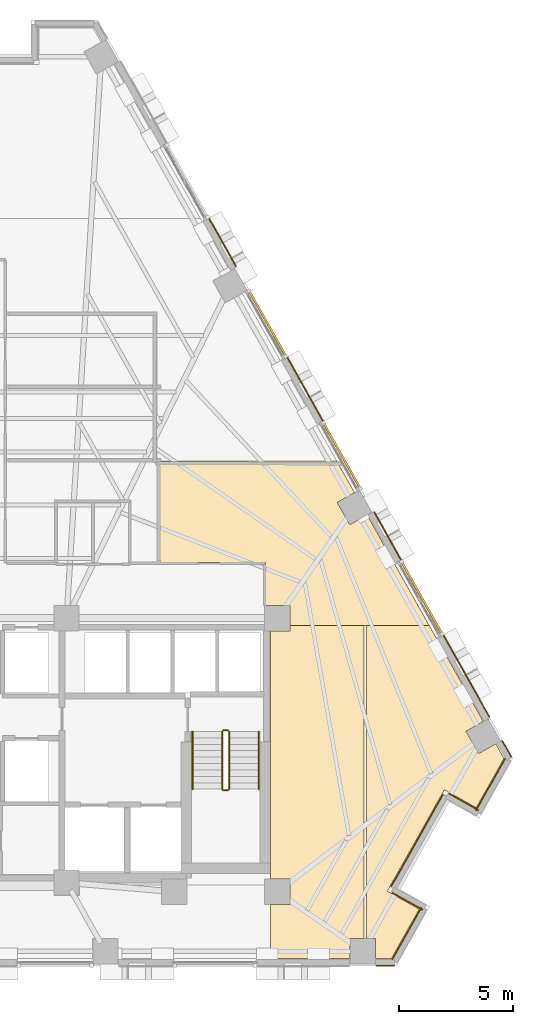
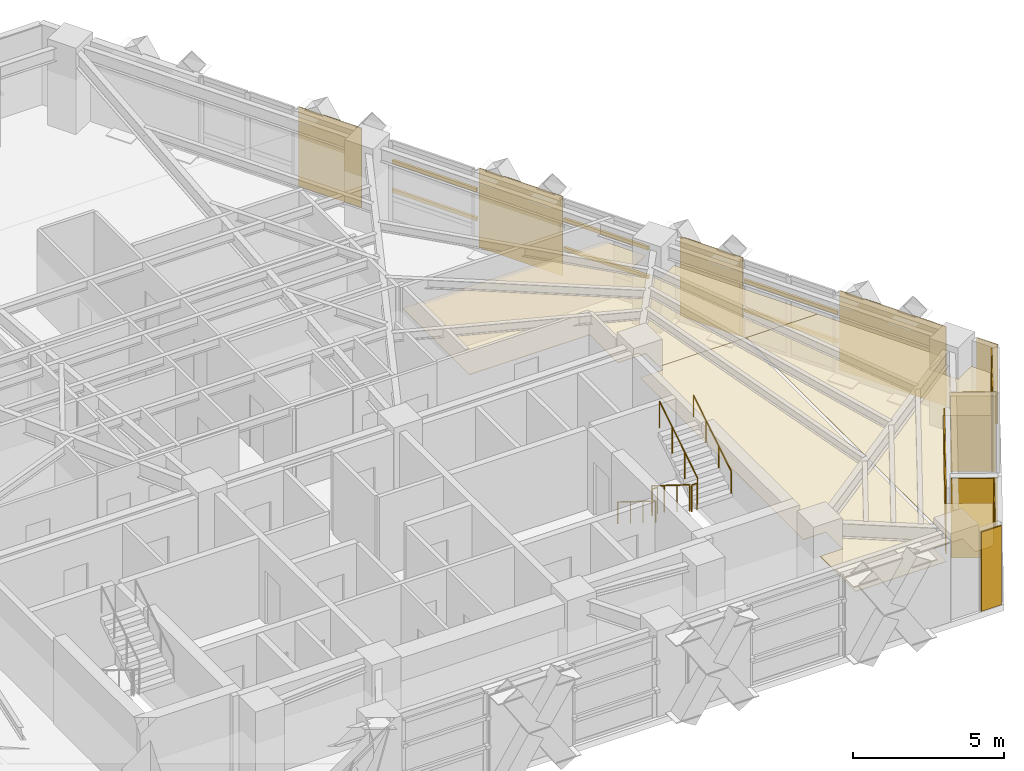
# One storey, part 13 of 14: 14 coverings, 6 railings, 6 shading devices.
"""IFC4 building model written with IfcOpenShell, lengths in metres."""

from ifc_helpers import new_model, si_unit, direction, frame, origin, origin_2d, place, context, subcontext, project, spatial, polyline, rectangle, circle, outline, extrude, material, layer, layer_set, material_profile, profile_set, type_object, element, save


model = new_model("IFC4")

# Units and contexts
model_context = context("Model", 3, precision=1e-05, world=origin(), true_north=direction((0.0, 1.0)))
body_context = subcontext(model_context, "Body", "Model", "MODEL_VIEW")
ifc_project = project(units=[si_unit("LENGTHUNIT", "METRE"), si_unit("AREAUNIT", "SQUARE_METRE"), si_unit("VOLUMEUNIT", "CUBIC_METRE"), si_unit("PLANEANGLEUNIT", "RADIAN"), si_unit("MASSUNIT", "GRAM", prefix="KILO")], contexts=[model_context])

# Site, building, storey
site_placement = place(None, origin())
site = spatial("IfcSite", under=ifc_project, at=site_placement, CompositionType="ELEMENT")
building_placement = place(site_placement, origin())
building = spatial("IfcBuilding", under=site, at=building_placement, Name="Quenlor Broadcast Tower", CompositionType="ELEMENT")
storey_placement = place(building_placement, frame((0.0, 0.0, 112.5)))
storey = spatial("IfcBuildingStorey", under=building, at=storey_placement, Name="L30", CompositionType="ELEMENT", Elevation=112.5)

# Coverings
ifc_material_1 = material(Name="Acoustic Mineral Fibre Board", Category="other")
ifc_layer_1 = layer(ifc_material_1, 0.02490234375)
ifc_layer_set_1 = layer_set([ifc_layer_1], Name="Acoustic Perforated Mineral Tile Ceiling 25")
covering_type_1 = type_object("IfcCoveringType", Name="Acoustic Perforated Mineral Tile Ceiling 25", PredefinedType="CEILING", material=ifc_layer_set_1)
covering_1_placement = place(storey_placement, frame((0.0, 0.0, 2.22509765625)))
element("IfcCovering", 1, at=covering_1_placement, inside=storey, type_object=covering_type_1, Name="L30 Acoustic Ceiling L30-38-2", PredefinedType="CEILING", context=body_context, shape_type="SweptSolid", body=[
    extrude(outline(polyline([(13.508056640625, -4.241943359375), (12.43994140625, -4.241943359375), (12.43994140625, -2.3701171875), (7.820068359375, -2.3701171875), (7.820068359375, 2.06005859375), (15.55126953125, 2.06005859375), (16.32666015625, 0.68115234375), (15.5703125, 0.255615234375), (16.1171875, -0.717041015625), (16.873779296875, -0.29150390625), (19.58984375, -5.1201171875), (16.860107421875, -5.1201171875), (16.739990234375, -5.1201171875), (13.508056640625, -5.1201171875), (13.508056640625, -4.241943359375)])), origin(), (0.0, 0.0, 1.0), 0.02490234375),
])
covering_2_placement = place(storey_placement, frame((0.0, 0.0, 2.22509765625)))
element("IfcCovering", 2, at=covering_2_placement, inside=storey, type_object=covering_type_1, Name="L30 Acoustic Ceiling L30-38-6", PredefinedType="CEILING", context=body_context, shape_type="SweptSolid", body=[
    extrude(outline(polyline([(13.508056640625, -17.30810546875), (13.508056640625, -16.19189453125), (12.64990234375, -16.19189453125), (12.64990234375, -5.35791015625), (13.508056640625, -5.35791015625), (13.508056640625, -5.1201171875), (16.739990234375, -5.1201171875), (16.739990234375, -18.7919921875), (16.134521484375, -18.7919921875), (16.134521484375, -19.659912109375), (12.64990234375, -19.659912109375), (12.64990234375, -17.30810546875), (13.508056640625, -17.30810546875)])), origin(), (0.0, 0.0, 1.0), 0.02490234375),
])
covering_3_placement = place(storey_placement, frame((0.0, 0.0, 2.22509765625)))
element("IfcCovering", 3, at=covering_3_placement, inside=storey, type_object=covering_type_1, Name="L30 Acoustic Ceiling L30-38-7", PredefinedType="CEILING", context=body_context, shape_type="SweptSolid", body=[
    extrude(outline(polyline([(21.951416015625, -9.318115234375), (21.19482421875, -9.74365234375), (21.741943359375, -10.71630859375), (22.49853515625, -10.290771484375), (22.85693359375, -10.927978515625), (21.64453125, -13.08349609375), (20.25, -12.299072265625), (17.759521484375, -16.7265625), (19.15380859375, -17.510986328125), (17.9453125, -19.659912109375), (17.25048828125, -19.659912109375), (17.25048828125, -18.7919921875), (16.860107421875, -18.7919921875), (16.860107421875, -5.1201171875), (19.58984375, -5.1201171875), (21.951416015625, -9.318115234375)])), origin(), (0.0, 0.0, 1.0), 0.02490234375),
])

# Shading devices
ifc_material_2 = material(Name="Architectural Terracotta Ceramic", Category="masonry")
ifc_material_profile = material_profile(ifc_material_2, rectangle(XDim=0.090087890625, YDim=0.139892578125, at=origin_2d()))
ifc_profile_set = profile_set([ifc_material_profile], Name="Architectural Terracotta Ceramic BAG90x140")
shading_device_type = type_object("IfcShadingDeviceType", Name="Copper Terracotta Baguette Solar Screen 140", PredefinedType="USERDEFINED", material=ifc_profile_set)
for number, where, z_axis, x_axis, name in (
    (4, (18.385986328125, -2.341796875, 1.169921875), (0.490344725936, -0.871528570815, 0.0), (0.871528570815, 0.490344725936, 0.0), "L30 Terracotta Baguette Screen 1"),
    (5, (18.385986328125, -2.341796875, 2.340087890625), (0.490344725936, -0.871528570815, 0.0), (0.871528570815, 0.490344725936, 0.0), "L30 Terracotta Baguette Screen 2"),
):
    element("IfcShadingDevice", number, at=place(storey_placement, frame(where, z_axis=z_axis, x_axis=x_axis)), inside=storey, type_object=shading_device_type, Name=name, ObjectType="BAGUETTE", PredefinedType="USERDEFINED", context=body_context, shape_type="SweptSolid", body=[
        extrude(rectangle(XDim=0.090087890625, YDim=0.139892578125, at=origin_2d()), origin(), (0.0, 0.0, 1.0), 3.60986328125),
    ])
for number, where, z_axis, x_axis, name in (
    (6, (11.7275390625, 9.49560546875, 1.169921875), (0.490254145389, -0.871579527599, 0.0), (0.871579527599, 0.490254145389, 0.0), "L30 Terracotta Baguette Screen 1"),
    (7, (11.7275390625, 9.49560546875, 2.340087890625), (0.490254145389, -0.871579527599, 0.0), (0.871579527599, 0.490254145389, 0.0), "L30 Terracotta Baguette Screen 2"),
    (8, (14.97314453125, 3.72607421875, 1.169921875), (0.490254145389, -0.871579527599, 0.0), (0.871579527599, 0.490254145389, 0.0), "L30 Terracotta Baguette Screen 1"),
    (9, (14.97314453125, 3.72607421875, 2.340087890625), (0.490254145389, -0.871579527599, 0.0), (0.871579527599, 0.490254145389, 0.0), "L30 Terracotta Baguette Screen 2"),
):
    element("IfcShadingDevice", number, at=place(storey_placement, frame(where, z_axis=z_axis, x_axis=x_axis)), inside=storey, type_object=shading_device_type, Name=name, ObjectType="BAGUETTE", PredefinedType="USERDEFINED", context=body_context, shape_type="SweptSolid", body=[
        extrude(rectangle(XDim=0.090087890625, YDim=0.139892578125, at=origin_2d()), origin(), (0.0, 0.0, 1.0), 3.267822265625),
    ])

# Coverings
ifc_material_3 = material(Name="Architectural Terracotta Ceramic", Category="masonry")
ifc_layer_2 = layer(ifc_material_3, 0.044921875)
ifc_layer_set_2 = layer_set([ifc_layer_2], Name="Fluted Terracotta Rainscreen Cladding Panel")
covering_type_2 = type_object("IfcCoveringType", Name="Fluted Terracotta Rainscreen Cladding Panel", PredefinedType="CLADDING", material=ifc_layer_set_2)
covering_4_placement = place(storey_placement, frame((0.0, 0.0, 0.02001953125)))
element("IfcCovering", 10, at=covering_4_placement, inside=storey, type_object=covering_type_2, Name="L30 Terracotta Rainscreen Cladding L30-SHD-SS0", PredefinedType="CLADDING", context=body_context, shape_type="SweptSolid", body=[
    extrude(outline(polyline([(18.053955078125, -19.951904296875), (17.277587890625, -19.951904296875), (17.277587890625, -19.9970703125), (18.053955078125, -19.9970703125), (18.053955078125, -19.951904296875)])), origin(), (0.0, 0.0, 1.0), 3.2099609375),
])
covering_5_placement = place(storey_placement, frame((0.0, 0.0, 0.02001953125)))
element("IfcCovering", 11, at=covering_5_placement, inside=storey, type_object=covering_type_2, Name="L30 Terracotta Rainscreen Cladding L30-SHD-NES1", PredefinedType="CLADDING", context=body_context, shape_type="SweptSolid", body=[
    extrude(outline(polyline([(22.76611328125, -10.171142578125), (23.160888671875, -10.873046875), (23.2001953125, -10.85107421875), (22.805419921875, -10.149169921875), (22.76611328125, -10.171142578125)])), origin(), (0.0, 0.0, 1.0), 3.2099609375),
])
covering_6_placement = place(storey_placement, frame((0.0, 0.0, 0.02001953125)))
element("IfcCovering", 12, at=covering_6_placement, inside=storey, type_object=covering_type_2, Name="L30 Terracotta Rainscreen Cladding L30-NEA-SP2", PredefinedType="CLADDING", context=body_context, shape_type="SweptSolid", body=[
    extrude(outline(polyline([(9.948974609375, 12.656005859375), (11.13232421875, 10.552001953125), (11.171630859375, 10.57421875), (9.98828125, 12.677978515625), (9.948974609375, 12.656005859375)])), origin(), (0.0, 0.0, 1.0), 3.2099609375),
])
covering_7_placement = place(storey_placement, frame((0.0, 0.0, 0.02001953125)))
element("IfcCovering", 13, at=covering_7_placement, inside=storey, type_object=covering_type_2, Name="L30 Terracotta Rainscreen Cladding L30-NEC-SP1", PredefinedType="CLADDING", context=body_context, shape_type="SweptSolid", body=[
    extrude(outline(polyline([(17.168701171875, -0.179443359375), (18.35205078125, -2.283203125), (18.391357421875, -2.26123046875), (17.2080078125, -0.157470703125), (17.168701171875, -0.179443359375)])), origin(), (0.0, 0.0, 1.0), 3.2099609375),
])
covering_8_placement = place(storey_placement, frame((0.0, 0.0, 0.02001953125)))
element("IfcCovering", 14, at=covering_8_placement, inside=storey, type_object=covering_type_2, Name="L30 Terracotta Rainscreen Cladding L30-NEC-SP2", PredefinedType="CLADDING", context=body_context, shape_type="SweptSolid", body=[
    extrude(outline(polyline([(20.188232421875, -5.547119140625), (22.2001953125, -9.1240234375), (22.239501953125, -9.10205078125), (20.227294921875, -5.525146484375), (20.188232421875, -5.547119140625)])), origin(), (0.0, 0.0, 1.0), 3.2099609375),
])
covering_9_placement = place(storey_placement, frame((0.0, 0.0, 0.02001953125)))
element("IfcCovering", 15, at=covering_9_placement, inside=storey, type_object=covering_type_2, Name="L30 Terracotta Rainscreen Cladding L30-NE-SP1", PredefinedType="CLADDING", context=body_context, shape_type="SweptSolid", body=[
    extrude(outline(polyline([(13.362060546875, 6.588134765625), (14.939208984375, 3.784423828125), (14.978515625, 3.806396484375), (13.401123046875, 6.610107421875), (13.362060546875, 6.588134765625)])), origin(), (0.0, 0.0, 1.0), 3.2099609375),
])
covering_10_placement = place(storey_placement, frame((0.0, 0.0, 0.02001953125)))
element("IfcCovering", 16, at=covering_10_placement, inside=storey, type_object=covering_type_2, Name="L30 Terracotta Rainscreen Cladding L30-CNR-01", PredefinedType="CLADDING", context=body_context, shape_type="SweptSolid", body=[
    extrude(outline(polyline([(19.31787109375, -17.525390625), (17.9755859375, -16.770263671875), (17.95361328125, -16.8095703125), (19.2958984375, -17.564697265625), (19.31787109375, -17.525390625)])), origin(), (0.0, 0.0, 1.0), 3.2099609375),
])
covering_11_placement = place(storey_placement, frame((0.0, 0.0, 0.02001953125)))
element("IfcCovering", 17, at=covering_11_placement, inside=storey, type_object=covering_type_2, Name="L30 Terracotta Rainscreen Cladding L30-CNR-02", PredefinedType="CLADDING", context=body_context, shape_type="SweptSolid", body=[
    extrude(outline(polyline([(17.941162109375, -16.5419921875), (20.206298828125, -12.515380859375), (20.1669921875, -12.493408203125), (17.902099609375, -16.52001953125), (17.941162109375, -16.5419921875)])), origin(), (0.0, 0.0, 1.0), 2.681884765625),
])
covering_12_placement = place(storey_placement, frame((0.0, 0.0, 0.02001953125)))
element("IfcCovering", 18, at=covering_12_placement, inside=storey, type_object=covering_type_2, Name="L30 Terracotta Rainscreen Cladding L30-CNR-03", PredefinedType="CLADDING", context=body_context, shape_type="SweptSolid", body=[
    extrude(outline(polyline([(20.4345703125, -12.48095703125), (21.741943359375, -13.21630859375), (21.763916015625, -13.177001953125), (20.45654296875, -12.441650390625), (20.4345703125, -12.48095703125)])), origin(), (0.0, 0.0, 1.0), 3.2099609375),
])
covering_13_placement = place(storey_placement, frame((0.0, 0.0, 0.02001953125)))
element("IfcCovering", 19, at=covering_13_placement, inside=storey, type_object=covering_type_2, Name="L30 Terracotta Rainscreen Cladding L30-CNR-04", PredefinedType="CLADDING", context=body_context, shape_type="SweptSolid", body=[
    extrude(outline(polyline([(21.64990234375, -13.212646484375), (22.926513671875, -10.94287109375), (22.887451171875, -10.9208984375), (21.610595703125, -13.190673828125), (21.64990234375, -13.212646484375)])), origin(), (0.0, 0.0, 1.0), 3.2099609375),
])
covering_14_placement = place(storey_placement, frame((0.0, 0.0, 0.02001953125)))
element("IfcCovering", 20, at=covering_14_placement, inside=storey, type_object=covering_type_2, Name="L30 Terracotta Rainscreen Cladding L30-CNR-18", PredefinedType="CLADDING", context=body_context, shape_type="SweptSolid", body=[
    extrude(outline(polyline([(17.991943359375, -19.71533203125), (19.26708984375, -17.448486328125), (19.227783203125, -17.426513671875), (17.952880859375, -19.693359375), (17.991943359375, -19.71533203125)])), origin(), (0.0, 0.0, 1.0), 3.2099609375),
])

# Railings
ifc_material_4 = material(Name="Anodised Aluminium", Category="aluminium")
railing_type_1 = type_object("IfcRailingType", Name="Stainless Aluminium Wall Handrail 900", PredefinedType="HANDRAIL", material=ifc_material_4)
railing_1_placement = place(storey_placement, frame((9.25, -9.75, 0.175048828125)))
element("IfcRailing", 21, at=railing_1_placement, inside=storey, type_object=railing_type_1, Name="L30 ST-2 stair handrail 1", PredefinedType="HANDRAIL", context=body_context, shape_type="SweptSolid", body=[
    extrude(circle(Radius=0.02392578125, at=origin_2d()), frame((0.0, 0.0, 0.8759765625), z_axis=(0.0, -0.848007534815, 0.529984170421), x_axis=(1.0, 0.0, 0.0)), (0.0, 0.0, 1.0), 2.9716796875),
    extrude(circle(Radius=0.02099609375, at=origin_2d()), origin(), (0.0, 0.0, 1.0), 0.851806640625),
    extrude(circle(Radius=0.02099609375, at=origin_2d()), frame((0.0, -0.840087890625, 0.52490234375)), (0.0, 0.0, 1.0), 0.851806640625),
    extrude(circle(Radius=0.02099609375, at=origin_2d()), frame((0.0, -1.679931640625, 1.050048828125)), (0.0, 0.0, 1.0), 0.851806640625),
    extrude(circle(Radius=0.02099609375, at=origin_2d()), frame((0.0, -2.52001953125, 1.574951171875)), (0.0, 0.0, 1.0), 0.851806640625),
])
railing_2_placement = place(storey_placement, frame((12.14990234375, -12.27001953125, 1.925048828125)))
element("IfcRailing", 22, at=railing_2_placement, inside=storey, type_object=railing_type_1, Name="L30 ST-2 stair handrail 2", PredefinedType="HANDRAIL", context=body_context, shape_type="SweptSolid", body=[
    extrude(circle(Radius=0.02392578125, at=origin_2d()), frame((0.0, 0.0, 0.8759765625), z_axis=(0.0, 0.848007534815, 0.529984170421), x_axis=(-1.0, 0.0, 0.0)), (0.0, 0.0, 1.0), 2.9716796875),
    extrude(circle(Radius=0.02099609375, at=origin_2d()), origin(), (0.0, 0.0, 1.0), 0.851806640625),
    extrude(circle(Radius=0.02099609375, at=origin_2d()), frame((0.0, 0.840087890625, 0.52490234375)), (0.0, 0.0, 1.0), 0.851806640625),
    extrude(circle(Radius=0.02099609375, at=origin_2d()), frame((0.0, 1.679931640625, 1.050048828125)), (0.0, 0.0, 1.0), 0.851806640625),
    extrude(circle(Radius=0.02099609375, at=origin_2d()), frame((0.0, 2.52001953125, 1.574951171875)), (0.0, 0.0, 1.0), 0.851806640625),
])
ifc_material_5 = material(Name="Steel S355", Category="steel")
railing_type_2 = type_object("IfcRailingType", Name="Tubular Steel S355 Stair Guardrail 1100", PredefinedType="BALUSTRADE", material=ifc_material_5)
railing_3_placement = place(storey_placement, frame((10.550048828125, -9.75, 0.175048828125)))
element("IfcRailing", 23, at=railing_3_placement, inside=storey, type_object=railing_type_2, Name="L30 ST-2 stair guard 1", PredefinedType="BALUSTRADE", context=body_context, shape_type="SweptSolid", body=[
    extrude(circle(Radius=0.02392578125, at=origin_2d()), frame((0.0, 0.0, 1.076171875), z_axis=(0.0, -0.848007534815, 0.529984170421), x_axis=(1.0, 0.0, 0.0)), (0.0, 0.0, 1.0), 2.9716796875),
    extrude(circle(Radius=0.02099609375, at=origin_2d()), origin(), (0.0, 0.0, 1.0), 1.052001953125),
    extrude(circle(Radius=0.02099609375, at=origin_2d()), frame((0.0, -0.840087890625, 0.52490234375)), (0.0, 0.0, 1.0), 1.052001953125),
    extrude(circle(Radius=0.02099609375, at=origin_2d()), frame((0.0, -1.679931640625, 1.050048828125)), (0.0, 0.0, 1.0), 1.052001953125),
    extrude(circle(Radius=0.02099609375, at=origin_2d()), frame((0.0, -2.52001953125, 1.574951171875)), (0.0, 0.0, 1.0), 1.052001953125),
])
railing_4_placement = place(storey_placement, frame((10.60009765625, -12.320068359375, 1.75)))
element("IfcRailing", 24, at=railing_4_placement, inside=storey, type_object=railing_type_2, Name="L30 ST-2 stair guard 2", PredefinedType="BALUSTRADE", context=body_context, shape_type="SweptSolid", body=[
    extrude(circle(Radius=0.02392578125, at=origin_2d()), frame((0.0, 0.0, 1.076171875), z_axis=(1.0, 0.0, 0.0), x_axis=(0.0, 1.0, 0.0)), (0.0, 0.0, 1.0), 0.199951171875),
    extrude(circle(Radius=0.02099609375, at=origin_2d()), origin(), (0.0, 0.0, 1.0), 1.052001953125),
    extrude(circle(Radius=0.02099609375, at=origin_2d()), frame((0.199951171875, 0.0, 0.0)), (0.0, 0.0, 1.0), 1.052001953125),
])
railing_5_placement = place(storey_placement, frame((10.85009765625, -12.27001953125, 1.925048828125)))
element("IfcRailing", 25, at=railing_5_placement, inside=storey, type_object=railing_type_2, Name="L30 ST-2 stair guard 3", PredefinedType="BALUSTRADE", context=body_context, shape_type="SweptSolid", body=[
    extrude(circle(Radius=0.02392578125, at=origin_2d()), frame((0.0, 0.0, 1.076171875), z_axis=(0.0, 0.848007534815, 0.529984170421), x_axis=(-1.0, 0.0, 0.0)), (0.0, 0.0, 1.0), 2.9716796875),
    extrude(circle(Radius=0.02099609375, at=origin_2d()), origin(), (0.0, 0.0, 1.0), 1.052001953125),
    extrude(circle(Radius=0.02099609375, at=origin_2d()), frame((0.0, 0.840087890625, 0.52490234375)), (0.0, 0.0, 1.0), 1.052001953125),
    extrude(circle(Radius=0.02099609375, at=origin_2d()), frame((0.0, 1.679931640625, 1.050048828125)), (0.0, 0.0, 1.0), 1.052001953125),
    extrude(circle(Radius=0.02099609375, at=origin_2d()), frame((0.0, 2.52001953125, 1.574951171875)), (0.0, 0.0, 1.0), 1.052001953125),
])
railing_6_placement = place(storey_placement, frame((10.60009765625, -9.699951171875, 0.0)))
element("IfcRailing", 26, at=railing_6_placement, inside=storey, type_object=railing_type_2, Name="L30 ST-2 stair guard 4", PredefinedType="BALUSTRADE", context=body_context, shape_type="SweptSolid", body=[
    extrude(circle(Radius=0.02392578125, at=origin_2d()), frame((0.0, 0.0, 1.076171875), z_axis=(1.0, 0.0, 0.0), x_axis=(0.0, 1.0, 0.0)), (0.0, 0.0, 1.0), 0.199951171875),
    extrude(circle(Radius=0.02099609375, at=origin_2d()), origin(), (0.0, 0.0, 1.0), 1.052001953125),
    extrude(circle(Radius=0.02099609375, at=origin_2d()), frame((0.199951171875, 0.0, 0.0)), (0.0, 0.0, 1.0), 1.052001953125),
])

save(model, "model.ifc")
